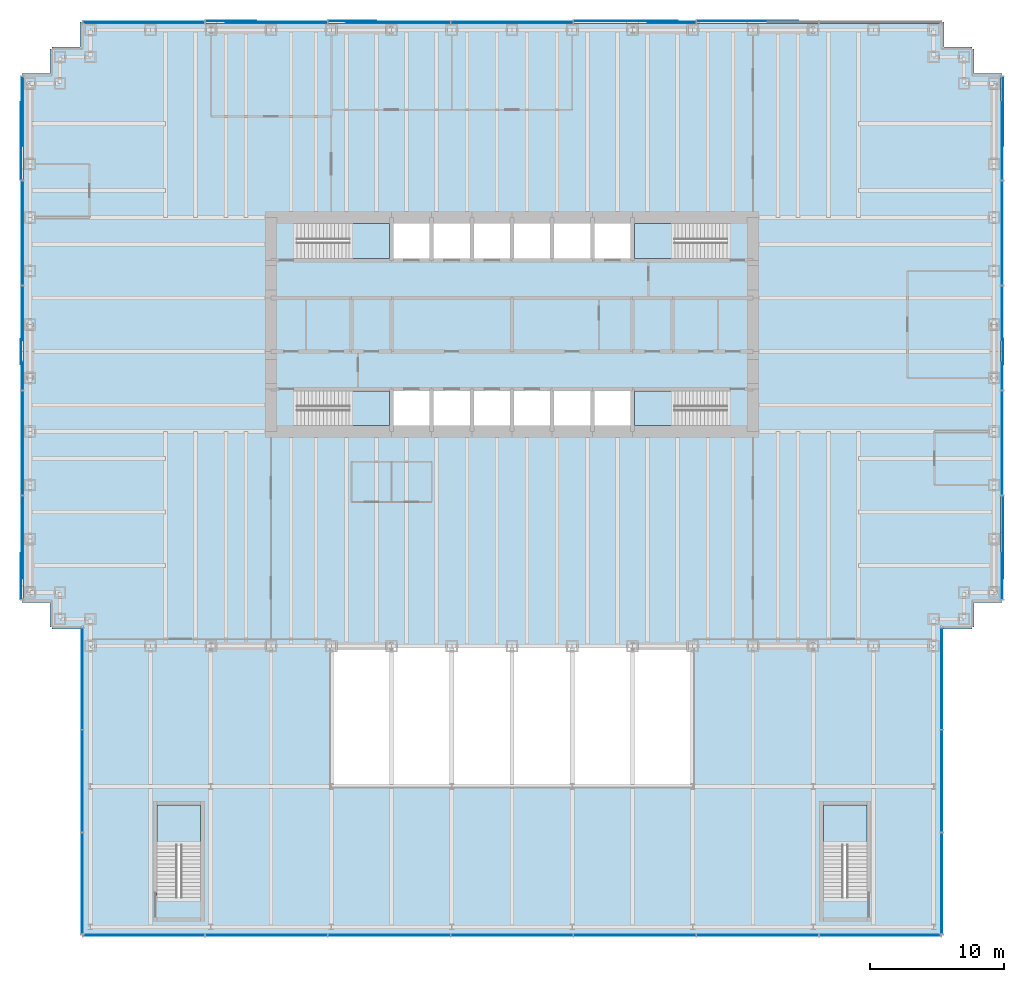
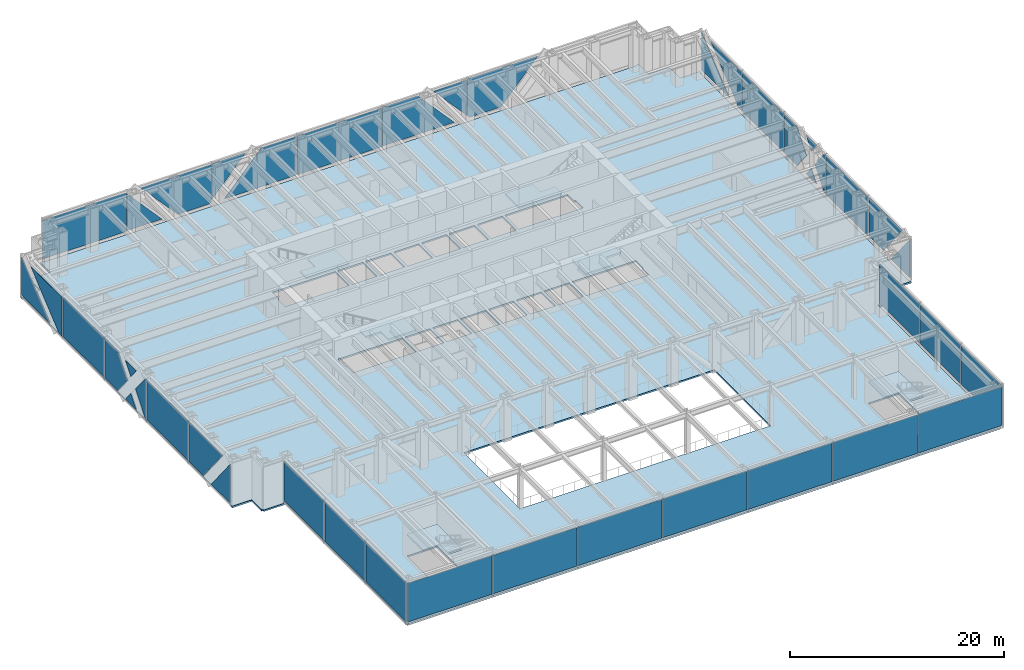
# One storey, part 11 of 17: 42 plates, 7 slabs, 12 elements without a shape of their own.
"""IFC4 building model written with IfcOpenShell, lengths in metres."""

from ifc_helpers import new_model, si_unit, direction, frame, origin, origin_2d, place, context, subcontext, project, spatial, polyline, rectangle, outline, extrude, material, layer, layer_set, type_object, element, aggregate, save


model = new_model("IFC4")

# Units and contexts
model_context = context("Model", 3, precision=1e-05, world=origin(), true_north=direction((0.0, 1.0)))
body_context = subcontext(model_context, "Body", "Model", "MODEL_VIEW")
ifc_project = project(units=[si_unit("LENGTHUNIT", "METRE"), si_unit("AREAUNIT", "SQUARE_METRE"), si_unit("VOLUMEUNIT", "CUBIC_METRE"), si_unit("PLANEANGLEUNIT", "RADIAN"), si_unit("MASSUNIT", "GRAM", prefix="KILO")], contexts=[model_context])

# Site, building, storey
site_placement = place(None, origin())
site = spatial("IfcSite", under=ifc_project, at=site_placement, CompositionType="ELEMENT")
building_placement = place(site_placement, origin())
building = spatial("IfcBuilding", under=site, at=building_placement, Name="Rheinbord Bourse Tower", CompositionType="ELEMENT")
storey_placement = place(building_placement, frame((0.0, 0.0, 18.0)))
storey = spatial("IfcBuildingStorey", under=building, at=storey_placement, Name="L03", CompositionType="ELEMENT", Elevation=18.0)

# Slab
ifc_material_1 = material(Name="Concrete C30/37", Category="concrete")
ifc_layer_1 = layer(ifc_material_1, 0.179931640625)
ifc_layer_set_1 = layer_set([ifc_layer_1], Name="COMPOSITE FLOOR SLAB 180")
slab_type_1 = type_object("IfcSlabType", Name="COMPOSITE FLOOR SLAB 180", PredefinedType="FLOOR", material=ifc_layer_set_1)
slab_1_placement = place(storey_placement, frame((0.0, 0.0, -0.179931640625)))
element("IfcSlab", 1, at=slab_1_placement, inside=storey, type_object=slab_type_1, Name="Floor slab L03", PredefinedType="FLOOR", context=body_context, shape_type="SweptSolid", body=[
    extrude(outline(polyline([(1.64990234375, 1.39990234375), (1.5, 1.39990234375), (1.5, 3.25), (-0.60009765625, 3.25), (-0.60009765625, 3.550048828125), (-0.5, 3.550048828125), (-0.5, 42.449951171875), (-0.60009765625, 42.449951171875), (-0.60009765625, 42.75), (1.5, 42.75), (1.5, 44.60009765625), (1.64990234375, 44.60009765625), (1.64990234375, 44.75), (3.75, 44.75), (3.75, 46.60009765625), (4.050048828125, 46.60009765625), (4.050048828125, 46.5), (67.949951171875, 46.5), (67.949951171875, 46.60009765625), (68.25, 46.60009765625), (68.25, 44.75), (70.35009765625, 44.75), (70.35009765625, 44.60009765625), (70.5, 44.60009765625), (70.5, 42.75), (72.60009765625, 42.75), (72.60009765625, 42.449951171875), (72.5, 42.449951171875), (72.5, 3.550048828125), (72.60009765625, 3.550048828125), (72.60009765625, 3.25), (70.5, 3.25), (70.5, 1.39990234375), (70.35009765625, 1.39990234375), (70.35009765625, 1.25), (68.10009765625, 1.25), (68.10009765625, 1.5), (68.0, 1.5), (68.0, -21.5), (4.0, -21.5), (4.0, 1.5), (3.89990234375, 1.5), (3.89990234375, 1.25), (1.64990234375, 1.25), (1.64990234375, 1.39990234375)]), holes=[polyline([(19.949951171875, 19.050048828125), (26.85009765625, 19.050048828125), (26.85009765625, 16.449951171875), (20.10009765625, 16.449951171875), (20.10009765625, 17.64990234375), (19.949951171875, 17.64990234375), (19.949951171875, 19.050048828125)]), polyline([(26.85009765625, 31.550048828125), (26.85009765625, 28.949951171875), (19.949951171875, 28.949951171875), (19.949951171875, 30.35009765625), (20.10009765625, 30.35009765625), (20.10009765625, 31.550048828125), (26.85009765625, 31.550048828125)]), polyline([(45.14990234375, 16.449951171875), (45.14990234375, 19.050048828125), (52.050048828125, 19.050048828125), (52.050048828125, 17.64990234375), (51.89990234375, 17.64990234375), (51.89990234375, 16.449951171875), (45.14990234375, 16.449951171875)]), polyline([(52.050048828125, 28.949951171875), (45.14990234375, 28.949951171875), (45.14990234375, 31.550048828125), (51.89990234375, 31.550048828125), (51.89990234375, 30.35009765625), (52.050048828125, 30.35009765625), (52.050048828125, 28.949951171875)]), polyline([(9.5, -11.89990234375), (12.75, -11.89990234375), (12.75, -18.800048828125), (11.0, -18.800048828125), (11.0, -18.64990234375), (9.5, -18.64990234375), (9.5, -11.89990234375)]), polyline([(59.25, -11.89990234375), (62.5, -11.89990234375), (62.5, -18.800048828125), (60.75, -18.800048828125), (60.75, -18.64990234375), (59.25, -18.64990234375), (59.25, -11.89990234375)]), polyline([(22.5, -10.5), (22.5, 0.0), (49.5, 0.0), (49.5, -10.5), (22.5, -10.5)]), polyline([(27.14990234375, 16.449951171875), (27.14990234375, 19.050048828125), (29.85009765625, 19.050048828125), (29.85009765625, 16.449951171875), (27.14990234375, 16.449951171875)]), polyline([(27.14990234375, 28.949951171875), (27.14990234375, 31.550048828125), (29.85009765625, 31.550048828125), (29.85009765625, 28.949951171875), (27.14990234375, 28.949951171875)]), polyline([(30.14990234375, 16.449951171875), (30.14990234375, 19.050048828125), (32.85009765625, 19.050048828125), (32.85009765625, 16.449951171875), (30.14990234375, 16.449951171875)]), polyline([(30.14990234375, 28.949951171875), (30.14990234375, 31.550048828125), (32.85009765625, 31.550048828125), (32.85009765625, 28.949951171875), (30.14990234375, 28.949951171875)]), polyline([(33.14990234375, 16.449951171875), (33.14990234375, 19.050048828125), (35.85009765625, 19.050048828125), (35.85009765625, 16.449951171875), (33.14990234375, 16.449951171875)]), polyline([(33.14990234375, 28.949951171875), (33.14990234375, 31.550048828125), (35.85009765625, 31.550048828125), (35.85009765625, 28.949951171875), (33.14990234375, 28.949951171875)]), polyline([(36.14990234375, 16.449951171875), (36.14990234375, 19.050048828125), (38.85009765625, 19.050048828125), (38.85009765625, 16.449951171875), (36.14990234375, 16.449951171875)]), polyline([(36.14990234375, 28.949951171875), (36.14990234375, 31.550048828125), (38.85009765625, 31.550048828125), (38.85009765625, 28.949951171875), (36.14990234375, 28.949951171875)]), polyline([(39.14990234375, 16.449951171875), (39.14990234375, 19.050048828125), (41.85009765625, 19.050048828125), (41.85009765625, 16.449951171875), (39.14990234375, 16.449951171875)]), polyline([(39.14990234375, 28.949951171875), (39.14990234375, 31.550048828125), (41.85009765625, 31.550048828125), (41.85009765625, 28.949951171875), (39.14990234375, 28.949951171875)]), polyline([(42.14990234375, 16.449951171875), (42.14990234375, 19.050048828125), (44.85009765625, 19.050048828125), (44.85009765625, 16.449951171875), (42.14990234375, 16.449951171875)]), polyline([(42.14990234375, 28.949951171875), (42.14990234375, 31.550048828125), (44.85009765625, 31.550048828125), (44.85009765625, 28.949951171875), (42.14990234375, 28.949951171875)])]), origin(), (0.0, 0.0, 1.0), 0.179931640625),
])

# Curtain wall, plates
ifc_material_2 = material(Name="Dark glass and black aluminium", Category="aluminium")
curtain_wall_type = type_object("IfcCurtainWallType", Name="CW4 DARK GLASS CURTAIN WALL", PredefinedType="USERDEFINED", material=ifc_material_2)
curtain_wall_1_placement = place(storey_placement, origin())
curtain_wall_1 = element("IfcCurtainWall", 2, at=curtain_wall_1_placement, inside=storey, type_object=curtain_wall_type, Name="Curtain wall CW4 S L03", ObjectType="UNITISED CURTAIN WALL", PredefinedType="USERDEFINED")
ifc_material_3 = material(Name="Dark tinted triple insulating glass", Category="glass")
ifc_layer_2 = layer(ifc_material_3, 0.068115234375)
ifc_layer_set_2 = layer_set([ifc_layer_2], Name="CW4 DARK GLASS PANEL")
plate_type = type_object("IfcPlateType", Name="CW4 DARK GLASS PANEL", PredefinedType="CURTAIN_PANEL", material=ifc_layer_set_2)
plate_1_placement = place(storey_placement, frame((8.50830078125, -21.60009765625, 0.300048828125), z_axis=(0.0, 0.0, 1.0), x_axis=(1.0, 0.0, 0.0)))
plate_1 = element("IfcPlate", 3, at=plate_1_placement, type_object=plate_type, Name="CW4 panel 1.1", PredefinedType="CURTAIN_PANEL", context=body_context, shape_type="SweptSolid", body=[
    extrude(rectangle(XDim=9.036376953125, YDim=0.068115234375, at=origin_2d()), origin(), (0.0, 0.0, 1.0), 4.39990234375),
])
plate_2_placement = place(storey_placement, frame((17.6572265625, -21.60009765625, 0.300048828125), z_axis=(0.0, 0.0, 1.0), x_axis=(1.0, 0.0, 0.0)))
plate_2 = element("IfcPlate", 4, at=plate_2_placement, type_object=plate_type, Name="CW4 panel 2.1", PredefinedType="CURTAIN_PANEL", context=body_context, shape_type="SweptSolid", body=[
    extrude(rectangle(XDim=9.08154296875, YDim=0.068115234375, at=origin_2d()), origin(), (0.0, 0.0, 1.0), 4.39990234375),
])
plate_3_placement = place(storey_placement, frame((26.82861328125, -21.60009765625, 0.300048828125), z_axis=(0.0, 0.0, 1.0), x_axis=(1.0, 0.0, 0.0)))
plate_3 = element("IfcPlate", 5, at=plate_3_placement, type_object=plate_type, Name="CW4 panel 3.1", PredefinedType="CURTAIN_PANEL", context=body_context, shape_type="SweptSolid", body=[
    extrude(rectangle(XDim=9.08154296875, YDim=0.068115234375, at=origin_2d()), origin(), (0.0, 0.0, 1.0), 4.39990234375),
])
plate_4_placement = place(storey_placement, frame((36.0, -21.60009765625, 0.300048828125), z_axis=(0.0, 0.0, 1.0), x_axis=(1.0, 0.0, 0.0)))
plate_4 = element("IfcPlate", 6, at=plate_4_placement, type_object=plate_type, Name="CW4 panel 4.1", PredefinedType="CURTAIN_PANEL", context=body_context, shape_type="SweptSolid", body=[
    extrude(rectangle(XDim=9.08154296875, YDim=0.068115234375, at=origin_2d()), origin(), (0.0, 0.0, 1.0), 4.39990234375),
])
plate_5_placement = place(storey_placement, frame((45.17138671875, -21.60009765625, 0.300048828125), z_axis=(0.0, 0.0, 1.0), x_axis=(1.0, 0.0, 0.0)))
plate_5 = element("IfcPlate", 7, at=plate_5_placement, type_object=plate_type, Name="CW4 panel 5.1", PredefinedType="CURTAIN_PANEL", context=body_context, shape_type="SweptSolid", body=[
    extrude(rectangle(XDim=9.08154296875, YDim=0.068115234375, at=origin_2d()), origin(), (0.0, 0.0, 1.0), 4.39990234375),
])
plate_6_placement = place(storey_placement, frame((54.3427734375, -21.60009765625, 0.300048828125), z_axis=(0.0, 0.0, 1.0), x_axis=(1.0, 0.0, 0.0)))
plate_6 = element("IfcPlate", 8, at=plate_6_placement, type_object=plate_type, Name="CW4 panel 6.1", PredefinedType="CURTAIN_PANEL", context=body_context, shape_type="SweptSolid", body=[
    extrude(rectangle(XDim=9.08154296875, YDim=0.068115234375, at=origin_2d()), origin(), (0.0, 0.0, 1.0), 4.39990234375),
])
plate_7_placement = place(storey_placement, frame((63.49169921875, -21.60009765625, 0.300048828125), z_axis=(0.0, 0.0, 1.0), x_axis=(1.0, 0.0, 0.0)))
plate_7 = element("IfcPlate", 9, at=plate_7_placement, type_object=plate_type, Name="CW4 panel 7.1", PredefinedType="CURTAIN_PANEL", context=body_context, shape_type="SweptSolid", body=[
    extrude(rectangle(XDim=9.036376953125, YDim=0.068115234375, at=origin_2d()), origin(), (0.0, 0.0, 1.0), 4.39990234375),
])
aggregate(curtain_wall_1, [plate_1, plate_2, plate_3, plate_4, plate_5, plate_6, plate_7])

curtain_wall_2_placement = place(storey_placement, origin())
curtain_wall_2 = element("IfcCurtainWall", 10, at=curtain_wall_2_placement, inside=storey, type_object=curtain_wall_type, Name="Curtain wall CW4 E L03", ObjectType="UNITISED CURTAIN WALL", PredefinedType="USERDEFINED")
plate_8_placement = place(storey_placement, frame((68.10009765625, -17.744140625, 0.300048828125), z_axis=(0.0, 0.0, 1.0), x_axis=(0.0, 1.0, 0.0)))
plate_8 = element("IfcPlate", 11, at=plate_8_placement, type_object=plate_type, Name="CW4 panel 1.1", PredefinedType="CURTAIN_PANEL", context=body_context, shape_type="SweptSolid", body=[
    extrude(rectangle(XDim=7.53173828125, YDim=0.068115234375, at=origin_2d()), origin(), (0.0, 0.0, 1.0), 4.39990234375),
])
plate_9_placement = place(storey_placement, frame((68.10009765625, -10.10009765625, 0.300048828125), z_axis=(0.0, 0.0, 1.0), x_axis=(0.0, 1.0, 0.0)))
plate_9 = element("IfcPlate", 12, at=plate_9_placement, type_object=plate_type, Name="CW4 panel 2.1", PredefinedType="CURTAIN_PANEL", context=body_context, shape_type="SweptSolid", body=[
    extrude(rectangle(XDim=7.57666015625, YDim=0.068115234375, at=origin_2d()), origin(), (0.0, 0.0, 1.0), 4.39990234375),
])
plate_10_placement = place(storey_placement, frame((68.10009765625, -2.455810546875, 0.300048828125), z_axis=(0.0, 0.0, 1.0), x_axis=(0.0, 1.0, 0.0)))
plate_10 = element("IfcPlate", 13, at=plate_10_placement, type_object=plate_type, Name="CW4 panel 3.1", PredefinedType="CURTAIN_PANEL", context=body_context, shape_type="SweptSolid", body=[
    extrude(rectangle(XDim=7.53173828125, YDim=0.068115234375, at=origin_2d()), origin(), (0.0, 0.0, 1.0), 4.39990234375),
])
aggregate(curtain_wall_2, [plate_8, plate_9, plate_10])

curtain_wall_3_placement = place(storey_placement, origin())
curtain_wall_3 = element("IfcCurtainWall", 14, at=curtain_wall_3_placement, inside=storey, type_object=curtain_wall_type, Name="Curtain wall CW4 E L03", ObjectType="UNITISED CURTAIN WALL", PredefinedType="USERDEFINED")
plate_11_placement = place(storey_placement, frame((72.60009765625, 15.159912109375, 0.300048828125), z_axis=(0.0, 0.0, 1.0), x_axis=(0.0, 1.0, 0.0)))
plate_11 = element("IfcPlate", 15, at=plate_11_placement, type_object=plate_type, Name="CW4 panel 2.1", PredefinedType="CURTAIN_PANEL", context=body_context, shape_type="SweptSolid", body=[
    extrude(rectangle(XDim=7.75, YDim=0.068115234375, at=origin_2d()), origin(), (0.0, 0.0, 1.0), 4.39990234375),
])
plate_12_placement = place(storey_placement, frame((72.60009765625, 30.840087890625, 0.300048828125), z_axis=(0.0, 0.0, 1.0), x_axis=(0.0, 1.0, 0.0)))
plate_12 = element("IfcPlate", 16, at=plate_12_placement, type_object=plate_type, Name="CW4 panel 4.1", PredefinedType="CURTAIN_PANEL", context=body_context, shape_type="SweptSolid", body=[
    extrude(rectangle(XDim=7.75, YDim=0.068115234375, at=origin_2d()), origin(), (0.0, 0.0, 1.0), 4.39990234375),
])
plate_13_placement = place(storey_placement, frame((72.63427734375, 3.489990234375, 0.300048828125), z_axis=(-1.0, 0.0, 0.0), x_axis=(0.0, 0.0, 1.0)))
plate_13 = element("IfcPlate", 17, at=plate_13_placement, type_object=plate_type, Name="CW4 glass facet 1", PredefinedType="CURTAIN_PANEL", context=body_context, shape_type="SweptSolid", body=[
    extrude(outline(polyline([(0.0, 0.0), (4.368896484375, 0.0), (0.0, 3.4951171875), (0.0, 0.0)])), origin(), (0.0, 0.0, 1.0), 0.068115234375),
])
plate_14_placement = place(storey_placement, frame((72.70703125, 11.195068359375, 4.699951171875), z_axis=(-1.0, 0.0, 0.0), x_axis=(0.0, 0.0, -1.0)))
plate_14 = element("IfcPlate", 18, at=plate_14_placement, type_object=plate_type, Name="CW4 glass facet 2", PredefinedType="CURTAIN_PANEL", context=body_context, shape_type="SweptSolid", body=[
    extrude(outline(polyline([(0.0, 0.0), (4.39990234375, 0.0), (4.39990234375, 2.66015625), (0.0, 6.18017578125), (0.0, 0.0)])), origin(), (0.0, 0.0, 1.0), 0.068115234375),
])
plate_15_placement = place(storey_placement, frame((72.63427734375, 19.125, 0.300048828125), z_axis=(-1.0, 0.0, 0.0), x_axis=(0.0, 0.0, 1.0)))
plate_15 = element("IfcPlate", 19, at=plate_15_placement, type_object=plate_type, Name="CW4 glass facet 1", PredefinedType="CURTAIN_PANEL", context=body_context, shape_type="SweptSolid", body=[
    extrude(outline(polyline([(0.0, 0.0), (4.39990234375, 0.0), (4.39990234375, 0.340087890625), (2.199951171875, 2.10009765625), (0.0, 0.340087890625), (0.0, 0.0)])), origin(), (0.0, 0.0, 1.0), 0.068115234375),
])
plate_16_placement = place(storey_placement, frame((72.70703125, 21.014892578125, 0.300048828125), z_axis=(-1.0, 0.0, 0.0), x_axis=(0.0, 0.624525155587, 0.781004692712)))
plate_16 = element("IfcPlate", 20, at=plate_16_placement, type_object=plate_type, Name="CW4 glass facet 2", PredefinedType="CURTAIN_PANEL", context=body_context, shape_type="SweptSolid", body=[
    extrude(outline(polyline([(0.0, 0.0), (1.577392578125, 0.0), (1.23046875, 1.538818359375), (0.0, 0.0)])), origin(), (0.0, 0.0, 1.0), 0.068115234375),
])
plate_17_placement = place(storey_placement, frame((72.70703125, 22.985107421875, 4.699951171875), z_axis=(-1.0, 0.0, 0.0), x_axis=(0.0, -0.624525155587, -0.781004692712)))
plate_17 = element("IfcPlate", 21, at=plate_17_placement, type_object=plate_type, Name="CW4 glass facet 3", PredefinedType="CURTAIN_PANEL", context=body_context, shape_type="SweptSolid", body=[
    extrude(outline(polyline([(0.0, 0.0), (1.577392578125, 0.0), (1.23046875, 1.538818359375), (0.0, 0.0)])), origin(), (0.0, 0.0, 1.0), 0.068115234375),
])
plate_18_placement = place(storey_placement, frame((72.63427734375, 26.875, 4.699951171875), z_axis=(-1.0, 0.0, 0.0), x_axis=(0.0, 0.0, -1.0)))
plate_18 = element("IfcPlate", 22, at=plate_18_placement, type_object=plate_type, Name="CW4 glass facet 4", PredefinedType="CURTAIN_PANEL", context=body_context, shape_type="SweptSolid", body=[
    extrude(outline(polyline([(0.0, 0.0), (4.39990234375, 0.0), (4.39990234375, 2.340087890625), (2.199951171875, 4.10009765625), (0.0, 2.340087890625), (0.0, 0.0)])), origin(), (0.0, 0.0, 1.0), 0.068115234375),
])
plate_19_placement = place(storey_placement, frame((72.63427734375, 34.804931640625, 0.300048828125), z_axis=(-1.0, 0.0, 0.0), x_axis=(0.0, 0.0, 1.0)))
plate_19 = element("IfcPlate", 23, at=plate_19_placement, type_object=plate_type, Name="CW4 glass facet 1", PredefinedType="CURTAIN_PANEL", context=body_context, shape_type="SweptSolid", body=[
    extrude(outline(polyline([(0.0, 0.0), (4.39990234375, 0.0), (4.39990234375, 5.89013671875), (0.0, 0.610107421875), (0.0, 0.0)])), origin(), (0.0, 0.0, 1.0), 0.068115234375),
])
plate_20_placement = place(storey_placement, frame((72.70703125, 42.510009765625, 0.300048828125), z_axis=(-1.0, 0.0, 0.0), x_axis=(0.0, -1.0, 0.0)))
plate_20 = element("IfcPlate", 24, at=plate_20_placement, type_object=plate_type, Name="CW4 glass facet 2", PredefinedType="CURTAIN_PANEL", context=body_context, shape_type="SweptSolid", body=[
    extrude(outline(polyline([(0.0, 0.0), (5.205078125, 0.0), (0.0, 4.3369140625), (0.0, 0.0)])), origin(), (0.0, 0.0, 1.0), 0.068115234375),
])
aggregate(curtain_wall_3, [plate_11, plate_12, plate_13, plate_14, plate_15, plate_16, plate_17, plate_18, plate_19, plate_20])

curtain_wall_4_placement = place(storey_placement, origin())
curtain_wall_4 = element("IfcCurtainWall", 25, at=curtain_wall_4_placement, inside=storey, type_object=curtain_wall_type, Name="Curtain wall CW4 N L03", ObjectType="UNITISED CURTAIN WALL", PredefinedType="USERDEFINED")
plate_21_placement = place(storey_placement, frame((36.0, 46.60009765625, 0.300048828125), z_axis=(0.0, 0.0, 1.0), x_axis=(-1.0, 0.0, 0.0)))
plate_21 = element("IfcPlate", 26, at=plate_21_placement, type_object=plate_type, Name="CW4 panel 4.1", PredefinedType="CURTAIN_PANEL", context=body_context, shape_type="SweptSolid", body=[
    extrude(rectangle(XDim=9.08154296875, YDim=0.068115234375, at=origin_2d()), origin(), (0.0, 0.0, 1.0), 4.39990234375),
])
plate_22_placement = place(storey_placement, frame((53.4560546875, 46.70703125, 0.300048828125), z_axis=(0.0, -1.0, 0.0), x_axis=(0.668969288901, 0.0, 0.743290044671)))
plate_22 = element("IfcPlate", 27, at=plate_22_placement, type_object=plate_type, Name="CW4 glass facet 2", PredefinedType="CURTAIN_PANEL", context=body_context, shape_type="SweptSolid", body=[
    extrude(outline(polyline([(0.0, 0.0), (5.91943359375, 0.0), (0.825927734375, 5.659423828125), (-2.244384765625, 2.89599609375), (-2.28271484375, 2.5361328125), (0.0, 0.0)])), origin(), (0.0, 0.0, 1.0), 0.068115234375),
])
plate_23_placement = place(storey_placement, frame((49.7119140625, 46.63427734375, 4.699951171875), z_axis=(0.0, -1.0, 0.0), x_axis=(-1.0, 0.0, 0.0)))
plate_23 = element("IfcPlate", 28, at=plate_23_placement, type_object=plate_type, Name="CW4 glass facet 1", PredefinedType="CURTAIN_PANEL", context=body_context, shape_type="SweptSolid", body=[
    extrude(outline(polyline([(0.0, 0.0), (3.6279296875, 0.0), (0.0, 4.031005859375), (0.0, 0.0)])), origin(), (0.0, 0.0, 1.0), 0.068115234375),
])
plate_24_placement = place(storey_placement, frame((40.631103515625, 46.70703125, 4.699951171875), z_axis=(0.0, -1.0, 0.0), x_axis=(0.0, 0.0, -1.0)))
plate_24 = element("IfcPlate", 29, at=plate_24_placement, type_object=plate_type, Name="CW4 glass facet 2", PredefinedType="CURTAIN_PANEL", context=body_context, shape_type="SweptSolid", body=[
    extrude(outline(polyline([(0.0, 0.0), (4.39990234375, 0.0), (4.39990234375, 7.784912109375), (0.0, 3.824951171875), (0.0, 0.0)])), origin(), (0.0, 0.0, 1.0), 0.068115234375),
])
plate_25_placement = place(storey_placement, frame((31.368896484375, 46.63427734375, 0.300048828125), z_axis=(0.0, -1.0, 0.0), x_axis=(0.0, 0.0, 1.0)))
plate_25 = element("IfcPlate", 30, at=plate_25_placement, type_object=plate_type, Name="CW4 glass facet 1", PredefinedType="CURTAIN_PANEL", context=body_context, shape_type="SweptSolid", body=[
    extrude(outline(polyline([(0.0, 0.0), (4.39990234375, 0.0), (4.39990234375, 3.824951171875), (0.0, 7.784912109375), (0.0, 0.0)])), origin(), (0.0, 0.0, 1.0), 0.068115234375),
])
plate_26_placement = place(storey_placement, frame((22.2880859375, 46.70703125, 4.699951171875), z_axis=(0.0, -1.0, 0.0), x_axis=(0.0, 0.0, -1.0)))
plate_26 = element("IfcPlate", 31, at=plate_26_placement, type_object=plate_type, Name="CW4 glass facet 2", PredefinedType="CURTAIN_PANEL", context=body_context, shape_type="SweptSolid", body=[
    extrude(outline(polyline([(0.0, 0.0), (4.031005859375, 0.0), (0.0, 3.6279296875), (0.0, 0.0)])), origin(), (0.0, 0.0, 1.0), 0.068115234375),
])
plate_27_placement = place(storey_placement, frame((21.9560546875, 46.63427734375, 0.300048828125), z_axis=(0.0, -1.0, 0.0), x_axis=(0.66866645055, 0.0, 0.743562490924)))
plate_27 = element("IfcPlate", 32, at=plate_27_placement, type_object=plate_type, Name="CW4 glass facet 1", PredefinedType="CURTAIN_PANEL", context=body_context, shape_type="SweptSolid", body=[
    extrude(outline(polyline([(0.0, 0.0), (0.36181640625, 0.0), (3.433349609375, 2.76220703125), (-1.657958984375, 8.423583984375), (-2.281494140625, 2.537109375), (0.0, 0.0)])), origin(), (0.0, 0.0, 1.0), 0.068115234375),
])
plate_28_placement = place(storey_placement, frame((13.115966796875, 46.70703125, 0.300048828125), z_axis=(0.0, -1.0, 0.0), x_axis=(1.0, 0.0, 0.0)))
plate_28 = element("IfcPlate", 33, at=plate_28_placement, type_object=plate_type, Name="CW4 glass facet 2", PredefinedType="CURTAIN_PANEL", context=body_context, shape_type="SweptSolid", body=[
    extrude(outline(polyline([(0.0, 0.0), (3.800048828125, 0.0), (0.0, 4.221923828125), (0.0, 0.0)])), origin(), (0.0, 0.0, 1.0), 0.068115234375),
])
plate_29_placement = place(storey_placement, frame((3.989990234375, 46.63427734375, 4.699951171875), z_axis=(0.0, -1.0, 0.0), x_axis=(0.0, 0.0, -1.0)))
plate_29 = element("IfcPlate", 34, at=plate_29_placement, type_object=plate_type, Name="CW4 glass facet 1", PredefinedType="CURTAIN_PANEL", context=body_context, shape_type="SweptSolid", body=[
    extrude(outline(polyline([(0.0, 0.0), (4.39990234375, 0.0), (4.39990234375, 9.035888671875), (0.077880859375, 9.035888671875), (0.0, 8.966064453125), (0.0, 0.0)])), origin(), (0.0, 0.0, 1.0), 0.068115234375),
])
aggregate(curtain_wall_4, [plate_21, plate_22, plate_23, plate_24, plate_25, plate_26, plate_27, plate_28, plate_29])

curtain_wall_5_placement = place(storey_placement, origin())
curtain_wall_5 = element("IfcCurtainWall", 35, at=curtain_wall_5_placement, inside=storey, type_object=curtain_wall_type, Name="Curtain wall CW4 W L03", ObjectType="UNITISED CURTAIN WALL", PredefinedType="USERDEFINED")
plate_30_placement = place(storey_placement, frame((-0.60009765625, 30.840087890625, 0.300048828125), z_axis=(0.0, 0.0, 1.0), x_axis=(0.0, -1.0, 0.0)))
plate_30 = element("IfcPlate", 36, at=plate_30_placement, type_object=plate_type, Name="CW4 panel 2.1", PredefinedType="CURTAIN_PANEL", context=body_context, shape_type="SweptSolid", body=[
    extrude(rectangle(XDim=7.75, YDim=0.068115234375, at=origin_2d()), origin(), (0.0, 0.0, 1.0), 4.39990234375),
])
plate_31_placement = place(storey_placement, frame((-0.60009765625, 15.159912109375, 0.300048828125), z_axis=(0.0, 0.0, 1.0), x_axis=(0.0, -1.0, 0.0)))
plate_31 = element("IfcPlate", 37, at=plate_31_placement, type_object=plate_type, Name="CW4 panel 4.1", PredefinedType="CURTAIN_PANEL", context=body_context, shape_type="SweptSolid", body=[
    extrude(rectangle(XDim=7.75, YDim=0.068115234375, at=origin_2d()), origin(), (0.0, 0.0, 1.0), 4.39990234375),
])
plate_32_placement = place(storey_placement, frame((-0.63427734375, 42.510009765625, 0.300048828125), z_axis=(1.0, 0.0, 0.0), x_axis=(0.0, 0.0, 1.0)))
plate_32 = element("IfcPlate", 38, at=plate_32_placement, type_object=plate_type, Name="CW4 glass facet 1", PredefinedType="CURTAIN_PANEL", context=body_context, shape_type="SweptSolid", body=[
    extrude(outline(polyline([(0.0, 0.0), (4.3369140625, 0.0), (0.0, 5.205078125), (0.0, 0.0)])), origin(), (0.0, 0.0, 1.0), 0.068115234375),
])
plate_33_placement = place(storey_placement, frame((-0.70703125, 34.804931640625, 4.699951171875), z_axis=(1.0, 0.0, 0.0), x_axis=(0.0, 0.0, -1.0)))
plate_33 = element("IfcPlate", 39, at=plate_33_placement, type_object=plate_type, Name="CW4 glass facet 2", PredefinedType="CURTAIN_PANEL", context=body_context, shape_type="SweptSolid", body=[
    extrude(outline(polyline([(0.0, 0.0), (4.39990234375, 0.0), (4.39990234375, 0.610107421875), (0.0, 5.89013671875), (0.0, 0.0)])), origin(), (0.0, 0.0, 1.0), 0.068115234375),
])
plate_34_placement = place(storey_placement, frame((-0.63427734375, 26.875, 0.300048828125), z_axis=(1.0, 0.0, 0.0), x_axis=(0.0, 0.0, 1.0)))
plate_34 = element("IfcPlate", 40, at=plate_34_placement, type_object=plate_type, Name="CW4 glass facet 1", PredefinedType="CURTAIN_PANEL", context=body_context, shape_type="SweptSolid", body=[
    extrude(outline(polyline([(0.0, 0.0), (4.39990234375, 0.0), (4.39990234375, 2.340087890625), (2.199951171875, 4.10009765625), (0.0, 2.340087890625), (0.0, 0.0)])), origin(), (0.0, 0.0, 1.0), 0.068115234375),
])
plate_35_placement = place(storey_placement, frame((-0.70703125, 22.985107421875, 0.300048828125), z_axis=(1.0, 0.0, 0.0), x_axis=(0.0, -0.624525155587, 0.781004692712)))
plate_35 = element("IfcPlate", 41, at=plate_35_placement, type_object=plate_type, Name="CW4 glass facet 2", PredefinedType="CURTAIN_PANEL", context=body_context, shape_type="SweptSolid", body=[
    extrude(outline(polyline([(0.0, 0.0), (1.577392578125, 0.0), (1.23046875, 1.538818359375), (0.0, 0.0)])), origin(), (0.0, 0.0, 1.0), 0.068115234375),
])
plate_36_placement = place(storey_placement, frame((-0.70703125, 21.014892578125, 4.699951171875), z_axis=(1.0, 0.0, 0.0), x_axis=(0.0, 0.624525155587, -0.781004692712)))
plate_36 = element("IfcPlate", 42, at=plate_36_placement, type_object=plate_type, Name="CW4 glass facet 3", PredefinedType="CURTAIN_PANEL", context=body_context, shape_type="SweptSolid", body=[
    extrude(outline(polyline([(0.0, 0.0), (1.577392578125, 0.0), (1.23046875, 1.538818359375), (0.0, 0.0)])), origin(), (0.0, 0.0, 1.0), 0.068115234375),
])
plate_37_placement = place(storey_placement, frame((-0.63427734375, 19.125, 4.699951171875), z_axis=(1.0, 0.0, 0.0), x_axis=(0.0, 0.0, -1.0)))
plate_37 = element("IfcPlate", 43, at=plate_37_placement, type_object=plate_type, Name="CW4 glass facet 4", PredefinedType="CURTAIN_PANEL", context=body_context, shape_type="SweptSolid", body=[
    extrude(outline(polyline([(0.0, 0.0), (4.39990234375, 0.0), (4.39990234375, 0.340087890625), (2.199951171875, 2.10009765625), (0.0, 0.340087890625), (0.0, 0.0)])), origin(), (0.0, 0.0, 1.0), 0.068115234375),
])
plate_38_placement = place(storey_placement, frame((-0.63427734375, 11.195068359375, 0.300048828125), z_axis=(1.0, 0.0, 0.0), x_axis=(0.0, 0.0, 1.0)))
plate_38 = element("IfcPlate", 44, at=plate_38_placement, type_object=plate_type, Name="CW4 glass facet 1", PredefinedType="CURTAIN_PANEL", context=body_context, shape_type="SweptSolid", body=[
    extrude(outline(polyline([(0.0, 0.0), (4.39990234375, 0.0), (4.39990234375, 6.18017578125), (0.0, 2.66015625), (0.0, 0.0)])), origin(), (0.0, 0.0, 1.0), 0.068115234375),
])
plate_39_placement = place(storey_placement, frame((-0.70703125, 3.489990234375, 0.300048828125), z_axis=(1.0, 0.0, 0.0), x_axis=(0.0, 1.0, 0.0)))
plate_39 = element("IfcPlate", 45, at=plate_39_placement, type_object=plate_type, Name="CW4 glass facet 2", PredefinedType="CURTAIN_PANEL", context=body_context, shape_type="SweptSolid", body=[
    extrude(outline(polyline([(0.0, 0.0), (3.4951171875, 0.0), (0.0, 4.368896484375), (0.0, 0.0)])), origin(), (0.0, 0.0, 1.0), 0.068115234375),
])
aggregate(curtain_wall_5, [plate_30, plate_31, plate_32, plate_33, plate_34, plate_35, plate_36, plate_37, plate_38, plate_39])

curtain_wall_6_placement = place(storey_placement, origin())
curtain_wall_6 = element("IfcCurtainWall", 46, at=curtain_wall_6_placement, inside=storey, type_object=curtain_wall_type, Name="Curtain wall CW4 W L03", ObjectType="UNITISED CURTAIN WALL", PredefinedType="USERDEFINED")
plate_40_placement = place(storey_placement, frame((3.89990234375, -2.455810546875, 0.300048828125), z_axis=(0.0, 0.0, 1.0), x_axis=(0.0, -1.0, 0.0)))
plate_40 = element("IfcPlate", 47, at=plate_40_placement, type_object=plate_type, Name="CW4 panel 1.1", PredefinedType="CURTAIN_PANEL", context=body_context, shape_type="SweptSolid", body=[
    extrude(rectangle(XDim=7.53173828125, YDim=0.068115234375, at=origin_2d()), origin(), (0.0, 0.0, 1.0), 4.39990234375),
])
plate_41_placement = place(storey_placement, frame((3.89990234375, -10.10009765625, 0.300048828125), z_axis=(0.0, 0.0, 1.0), x_axis=(0.0, -1.0, 0.0)))
plate_41 = element("IfcPlate", 48, at=plate_41_placement, type_object=plate_type, Name="CW4 panel 2.1", PredefinedType="CURTAIN_PANEL", context=body_context, shape_type="SweptSolid", body=[
    extrude(rectangle(XDim=7.57666015625, YDim=0.068115234375, at=origin_2d()), origin(), (0.0, 0.0, 1.0), 4.39990234375),
])
plate_42_placement = place(storey_placement, frame((3.89990234375, -17.744140625, 0.300048828125), z_axis=(0.0, 0.0, 1.0), x_axis=(0.0, -1.0, 0.0)))
plate_42 = element("IfcPlate", 49, at=plate_42_placement, type_object=plate_type, Name="CW4 panel 3.1", PredefinedType="CURTAIN_PANEL", context=body_context, shape_type="SweptSolid", body=[
    extrude(rectangle(XDim=7.53173828125, YDim=0.068115234375, at=origin_2d()), origin(), (0.0, 0.0, 1.0), 4.39990234375),
])
aggregate(curtain_wall_6, [plate_40, plate_41, plate_42])

# Stair, slab
ifc_material_4 = material(Name="Concrete C30/37", Category="concrete")
stair_type_1 = type_object("IfcStairType", Name="CORE STAIR HALF TURN 5000", PredefinedType="HALF_TURN_STAIR", material=ifc_material_4)
stair_1_placement = place(storey_placement, origin())
stair_1 = element("IfcStair", 50, at=stair_1_placement, inside=storey, type_object=stair_type_1, Name="Stair ST1 L03, type CS3", PredefinedType="HALF_TURN_STAIR")
ifc_material_5 = material(Name="Concrete C30/37", Category="concrete")
ifc_layer_3 = layer(ifc_material_5, 0.199951171875)
ifc_layer_set_3 = layer_set([ifc_layer_3], Name="STAIR LANDING 200")
slab_type_2 = type_object("IfcSlabType", Name="STAIR LANDING 200", PredefinedType="LANDING", material=ifc_layer_set_3)
slab_2_placement = place(storey_placement, frame((0.0, 0.0, 2.300048828125)))
slab_2 = element("IfcSlab", 51, at=slab_2_placement, type_object=slab_type_2, Name="Half landing ST1 L03", PredefinedType="LANDING", context=body_context, shape_type="SweptSolid", body=[
    extrude(outline(polyline([(23.8701171875, 16.449951171875), (26.85009765625, 16.449951171875), (26.85009765625, 19.050048828125), (22.251953125, 19.050048828125), (22.251953125, 17.85009765625), (23.8701171875, 17.85009765625), (23.8701171875, 16.449951171875)])), origin(), (0.0, 0.0, 1.0), 0.199951171875),
])
aggregate(stair_1, [slab_2])

stair_2_placement = place(storey_placement, origin())
stair_2 = element("IfcStair", 52, at=stair_2_placement, inside=storey, type_object=stair_type_1, Name="Stair ST2 L03, type CS3", PredefinedType="HALF_TURN_STAIR")
slab_3_placement = place(storey_placement, frame((0.0, 0.0, 2.300048828125)))
slab_3 = element("IfcSlab", 53, at=slab_3_placement, type_object=slab_type_2, Name="Half landing ST2 L03", PredefinedType="LANDING", context=body_context, shape_type="SweptSolid", body=[
    extrude(outline(polyline([(22.251953125, 28.949951171875), (26.85009765625, 28.949951171875), (26.85009765625, 31.550048828125), (23.8701171875, 31.550048828125), (23.8701171875, 30.14990234375), (22.251953125, 30.14990234375), (22.251953125, 28.949951171875)])), origin(), (0.0, 0.0, 1.0), 0.199951171875),
])
aggregate(stair_2, [slab_3])

stair_3_placement = place(storey_placement, origin())
stair_3 = element("IfcStair", 54, at=stair_3_placement, inside=storey, type_object=stair_type_1, Name="Stair ST3 L03, type CS3", PredefinedType="HALF_TURN_STAIR")
slab_4_placement = place(storey_placement, frame((0.0, 0.0, 2.300048828125)))
slab_4 = element("IfcSlab", 55, at=slab_4_placement, type_object=slab_type_2, Name="Half landing ST3 L03", PredefinedType="LANDING", context=body_context, shape_type="SweptSolid", body=[
    extrude(outline(polyline([(45.14990234375, 16.449951171875), (48.1298828125, 16.449951171875), (48.1298828125, 17.85009765625), (49.748046875, 17.85009765625), (49.748046875, 19.050048828125), (45.14990234375, 19.050048828125), (45.14990234375, 16.449951171875)])), origin(), (0.0, 0.0, 1.0), 0.199951171875),
])
aggregate(stair_3, [slab_4])

stair_4_placement = place(storey_placement, origin())
stair_4 = element("IfcStair", 56, at=stair_4_placement, inside=storey, type_object=stair_type_1, Name="Stair ST4 L03, type CS3", PredefinedType="HALF_TURN_STAIR")
slab_5_placement = place(storey_placement, frame((0.0, 0.0, 2.300048828125)))
slab_5 = element("IfcSlab", 57, at=slab_5_placement, type_object=slab_type_2, Name="Half landing ST4 L03", PredefinedType="LANDING", context=body_context, shape_type="SweptSolid", body=[
    extrude(outline(polyline([(45.14990234375, 28.949951171875), (49.748046875, 28.949951171875), (49.748046875, 30.14990234375), (48.1298828125, 30.14990234375), (48.1298828125, 31.550048828125), (45.14990234375, 31.550048828125), (45.14990234375, 28.949951171875)])), origin(), (0.0, 0.0, 1.0), 0.199951171875),
])
aggregate(stair_4, [slab_5])

ifc_material_6 = material(Name="Concrete C30/37", Category="concrete")
stair_type_2 = type_object("IfcStairType", Name="PODIUM STAIR HALF TURN", PredefinedType="HALF_TURN_STAIR", material=ifc_material_6)
stair_5_placement = place(storey_placement, origin())
stair_5 = element("IfcStair", 58, at=stair_5_placement, inside=storey, type_object=stair_type_2, Name="Stair ST5 L03, type PS1", PredefinedType="HALF_TURN_STAIR")
slab_6_placement = place(storey_placement, frame((0.0, 0.0, 2.300048828125)))
slab_6 = element("IfcSlab", 59, at=slab_6_placement, type_object=slab_type_2, Name="Half landing ST5 L03", PredefinedType="LANDING", context=body_context, shape_type="SweptSolid", body=[
    extrude(outline(polyline([(9.5, -14.8798828125), (11.25, -14.8798828125), (11.25, -16.498046875), (12.75, -16.498046875), (12.75, -11.89990234375), (9.5, -11.89990234375), (9.5, -14.8798828125)])), origin(), (0.0, 0.0, 1.0), 0.199951171875),
])
aggregate(stair_5, [slab_6])

stair_6_placement = place(storey_placement, origin())
stair_6 = element("IfcStair", 60, at=stair_6_placement, inside=storey, type_object=stair_type_2, Name="Stair ST6 L03, type PS1", PredefinedType="HALF_TURN_STAIR")
slab_7_placement = place(storey_placement, frame((0.0, 0.0, 2.300048828125)))
slab_7 = element("IfcSlab", 61, at=slab_7_placement, type_object=slab_type_2, Name="Half landing ST6 L03", PredefinedType="LANDING", context=body_context, shape_type="SweptSolid", body=[
    extrude(outline(polyline([(59.25, -14.8798828125), (61.0, -14.8798828125), (61.0, -16.498046875), (62.5, -16.498046875), (62.5, -11.89990234375), (59.25, -11.89990234375), (59.25, -14.8798828125)])), origin(), (0.0, 0.0, 1.0), 0.199951171875),
])
aggregate(stair_6, [slab_7])

save(model, "model.ifc")
